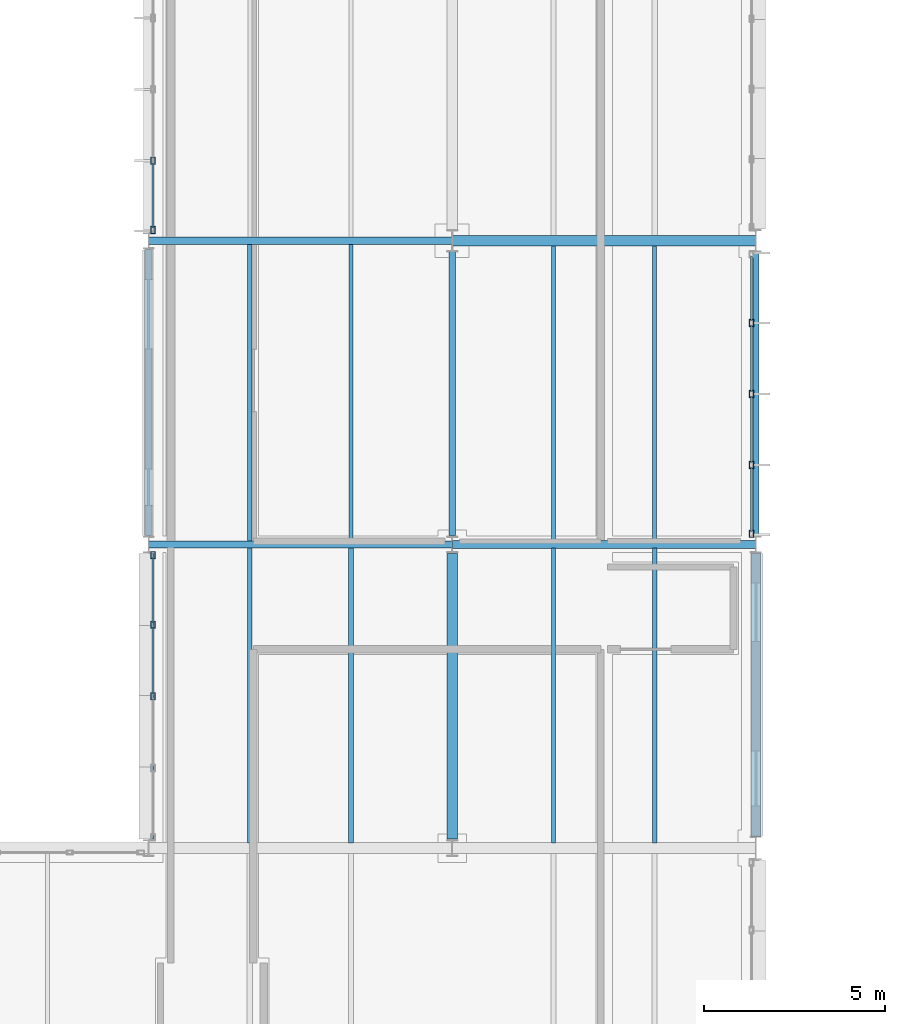
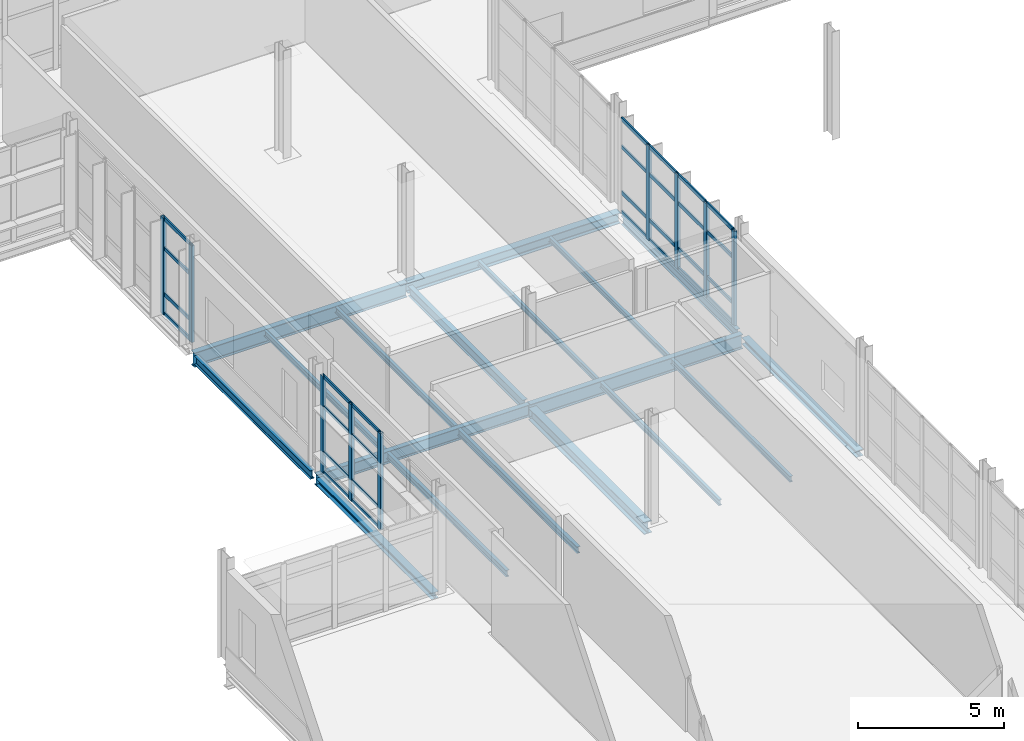
# One storey, part 54 of 129: 37 members, 18 beams, 3 elements without a shape of their own.
"""IFC4 building model written with IfcOpenShell, lengths in metres."""

from ifc_helpers import new_model, si_unit, direction, frame, origin, origin_2d, place, context, subcontext, project, spatial, hollow_rectangle, i_section, extrude, material, material_profile, profile_set, type_object, element, aggregate, save


model = new_model("IFC4")

# Units and contexts
model_context = context("Model", 3, precision=1e-05, world=origin(), true_north=direction((0.0, 1.0)))
body_context = subcontext(model_context, "Body", "Model", "MODEL_VIEW")
ifc_project = project(units=[si_unit("LENGTHUNIT", "METRE"), si_unit("AREAUNIT", "SQUARE_METRE"), si_unit("VOLUMEUNIT", "CUBIC_METRE"), si_unit("PLANEANGLEUNIT", "RADIAN"), si_unit("MASSUNIT", "GRAM", prefix="KILO")], contexts=[model_context])

# Site, building, storey
site_placement = place(None, origin())
site = spatial("IfcSite", under=ifc_project, at=site_placement, CompositionType="ELEMENT")
building_placement = place(site_placement, origin())
building = spatial("IfcBuilding", under=site, at=building_placement, Name="Mersafa Astral City Hall", CompositionType="ELEMENT")
storey_placement = place(building_placement, frame((0.0, 0.0, 5.39990234375)))
storey = spatial("IfcBuildingStorey", under=building, at=storey_placement, Name="L01", CompositionType="ELEMENT", Elevation=5.39990234375)

# Curtain wall, members
ifc_material_1 = material(Name="Anodised bronze aluminium framing", Category="aluminium")
curtain_wall_type_1 = type_object("IfcCurtainWallType", Name="ENV-CW-5", PredefinedType="USERDEFINED", material=ifc_material_1)
curtain_wall_1_placement = place(storey_placement, origin())
curtain_wall_1 = element("IfcCurtainWall", 1, at=curtain_wall_1_placement, inside=storey, type_object=curtain_wall_type_1, Name="L01 Unitised solar curtain wall 58", ObjectType="UNITISED CURTAIN WALL", PredefinedType="USERDEFINED")
ifc_material_profile_1 = material_profile(ifc_material_1, hollow_rectangle(XDim=0.1201171875, YDim=0.199951171875, WallThickness=0.008056640625, at=origin_2d()), Name="RHS 120x200x8")
ifc_profile_set_1 = profile_set([ifc_material_profile_1], Name="Anodised bronze aluminium framing")
member_type_1 = type_object("IfcMemberType", Name="ENV-CW-MUL-2", PredefinedType="MULLION", material=ifc_profile_set_1)
member_1_placement = place(storey_placement, frame((117.47998046875, 101.096923828125, -0.001953125), z_axis=(0.0, 0.0, 1.0), x_axis=(-1.0, 0.0, 0.0)))
member_1 = element("IfcMember", 2, at=member_1_placement, type_object=member_type_1, Name="CW-5 mullion 1", PredefinedType="MULLION", context=body_context, shape_type="SweptSolid", body=[
    extrude(hollow_rectangle(XDim=0.1201171875, YDim=0.199951171875, WallThickness=0.008056640625, at=origin_2d()), origin(), (0.0, 0.0, 1.0), 3.93896484375),
])
member_2_placement = place(storey_placement, frame((117.47998046875, 102.999755859375, -0.001953125), z_axis=(0.0, 0.0, 1.0), x_axis=(-1.0, 0.0, 0.0)))
member_2 = element("IfcMember", 3, at=member_2_placement, type_object=member_type_1, Name="CW-5 mullion 2", PredefinedType="MULLION", context=body_context, shape_type="SweptSolid", body=[
    extrude(hollow_rectangle(XDim=0.1201171875, YDim=0.199951171875, WallThickness=0.008056640625, at=origin_2d()), origin(), (0.0, 0.0, 1.0), 3.93896484375),
])
member_3_placement = place(storey_placement, frame((117.47998046875, 104.96240234375, -0.001953125), z_axis=(0.0, 0.0, 1.0), x_axis=(-1.0, 0.0, 0.0)))
member_3 = element("IfcMember", 4, at=member_3_placement, type_object=member_type_1, Name="CW-5 mullion 3", PredefinedType="MULLION", context=body_context, shape_type="SweptSolid", body=[
    extrude(hollow_rectangle(XDim=0.1201171875, YDim=0.199951171875, WallThickness=0.008056640625, at=origin_2d()), origin(), (0.0, 0.0, 1.0), 3.93896484375),
])
member_4_placement = place(storey_placement, frame((117.47998046875, 106.92529296875, -0.001953125), z_axis=(0.0, 0.0, 1.0), x_axis=(-1.0, 0.0, 0.0)))
member_4 = element("IfcMember", 5, at=member_4_placement, type_object=member_type_1, Name="CW-5 mullion 4", PredefinedType="MULLION", context=body_context, shape_type="SweptSolid", body=[
    extrude(hollow_rectangle(XDim=0.1201171875, YDim=0.199951171875, WallThickness=0.008056640625, at=origin_2d()), origin(), (0.0, 0.0, 1.0), 3.93896484375),
])

curtain_wall_type_2 = type_object("IfcCurtainWallType", Name="ENV-CW-1", PredefinedType="USERDEFINED", material=ifc_material_1)
curtain_wall_2_placement = place(storey_placement, origin())
curtain_wall_2 = element("IfcCurtainWall", 6, at=curtain_wall_2_placement, inside=storey, type_object=curtain_wall_type_2, Name="L01 Unitised solar curtain wall 90", ObjectType="UNITISED CURTAIN WALL", PredefinedType="USERDEFINED")
member_5_placement = place(storey_placement, frame((100.919921875, 111.412353515625, -0.001953125), z_axis=(0.0, 0.0, 1.0), x_axis=(1.0, 0.0, 0.0)))
member_5 = element("IfcMember", 7, at=member_5_placement, type_object=member_type_1, Name="CW-1 mullion 4", PredefinedType="MULLION", context=body_context, shape_type="SweptSolid", body=[
    extrude(hollow_rectangle(XDim=0.1201171875, YDim=0.199951171875, WallThickness=0.008056640625, at=origin_2d()), origin(), (0.0, 0.0, 1.0), 4.029052734375),
])
member_6_placement = place(storey_placement, frame((100.919921875, 109.4970703125, -0.001953125), z_axis=(0.0, 0.0, 1.0), x_axis=(1.0, 0.0, 0.0)))
member_6 = element("IfcMember", 8, at=member_6_placement, type_object=member_type_1, Name="CW-1 mullion 5", PredefinedType="MULLION", context=body_context, shape_type="SweptSolid", body=[
    extrude(hollow_rectangle(XDim=0.1201171875, YDim=0.199951171875, WallThickness=0.008056640625, at=origin_2d()), origin(), (0.0, 0.0, 1.0), 4.029052734375),
])

curtain_wall_type_3 = type_object("IfcCurtainWallType", Name="ENV-CW-2", PredefinedType="USERDEFINED", material=ifc_material_1)
curtain_wall_3_placement = place(storey_placement, origin())
curtain_wall_3 = element("IfcCurtainWall", 9, at=curtain_wall_3_placement, inside=storey, type_object=curtain_wall_type_3, Name="L01 Unitised solar curtain wall 91", ObjectType="UNITISED CURTAIN WALL", PredefinedType="USERDEFINED")
member_7_placement = place(storey_placement, frame((100.919921875, 100.5029296875, -0.001953125), z_axis=(0.0, 0.0, 1.0), x_axis=(1.0, 0.0, 0.0)))
member_7 = element("IfcMember", 10, at=member_7_placement, type_object=member_type_1, Name="CW-2 mullion 1", PredefinedType="MULLION", context=body_context, shape_type="SweptSolid", body=[
    extrude(hollow_rectangle(XDim=0.1201171875, YDim=0.199951171875, WallThickness=0.008056640625, at=origin_2d()), origin(), (0.0, 0.0, 1.0), 4.029052734375),
])
member_8_placement = place(storey_placement, frame((100.919921875, 98.58154296875, -0.001953125), z_axis=(0.0, 0.0, 1.0), x_axis=(1.0, 0.0, 0.0)))
member_8 = element("IfcMember", 11, at=member_8_placement, type_object=member_type_1, Name="CW-2 mullion 2", PredefinedType="MULLION", context=body_context, shape_type="SweptSolid", body=[
    extrude(hollow_rectangle(XDim=0.1201171875, YDim=0.199951171875, WallThickness=0.008056640625, at=origin_2d()), origin(), (0.0, 0.0, 1.0), 4.029052734375),
])
member_9_placement = place(storey_placement, frame((100.919921875, 96.60009765625, -0.001953125), z_axis=(0.0, 0.0, 1.0), x_axis=(1.0, 0.0, 0.0)))
member_9 = element("IfcMember", 12, at=member_9_placement, type_object=member_type_1, Name="CW-2 mullion 3", PredefinedType="MULLION", context=body_context, shape_type="SweptSolid", body=[
    extrude(hollow_rectangle(XDim=0.1201171875, YDim=0.199951171875, WallThickness=0.008056640625, at=origin_2d()), origin(), (0.0, 0.0, 1.0), 4.029052734375),
])
ifc_material_profile_2 = material_profile(ifc_material_1, hollow_rectangle(XDim=0.06005859375, YDim=0.139892578125, WallThickness=0.00390625, at=origin_2d()), Name="RHS 60x140x4")
ifc_profile_set_2 = profile_set([ifc_material_profile_2], Name="Anodised bronze aluminium framing")
member_type_2 = type_object("IfcMemberType", Name="ENV-CW-TRN-1", PredefinedType="USERDEFINED", material=ifc_profile_set_2)
member_10_placement = place(storey_placement, frame((100.919921875, 100.443115234375, 0.028076171875), z_axis=(0.0, -1.0, 0.0), x_axis=(1.0, 0.0, 0.0)))
member_10 = element("IfcMember", 13, at=member_10_placement, type_object=member_type_2, Name="CW-2 transom 1.1", ObjectType="TRANSOM", PredefinedType="USERDEFINED", context=body_context, shape_type="SweptSolid", body=[
    extrude(hollow_rectangle(XDim=0.06005859375, YDim=0.139892578125, WallThickness=0.00390625, at=origin_2d()), origin(), (0.0, 0.0, 1.0), 1.801513671875),
])
member_11_placement = place(storey_placement, frame((100.919921875, 100.443115234375, 0.85009765625), z_axis=(0.0, -1.0, 0.0), x_axis=(1.0, 0.0, 0.0)))
member_11 = element("IfcMember", 14, at=member_11_placement, type_object=member_type_2, Name="CW-2 transom 1.2", ObjectType="TRANSOM", PredefinedType="USERDEFINED", context=body_context, shape_type="SweptSolid", body=[
    extrude(hollow_rectangle(XDim=0.06005859375, YDim=0.139892578125, WallThickness=0.00390625, at=origin_2d()), origin(), (0.0, 0.0, 1.0), 1.801513671875),
])
member_12_placement = place(storey_placement, frame((100.919921875, 100.443115234375, 2.75), z_axis=(0.0, -1.0, 0.0), x_axis=(1.0, 0.0, 0.0)))
member_12 = element("IfcMember", 15, at=member_12_placement, type_object=member_type_2, Name="CW-2 transom 1.3", ObjectType="TRANSOM", PredefinedType="USERDEFINED", context=body_context, shape_type="SweptSolid", body=[
    extrude(hollow_rectangle(XDim=0.06005859375, YDim=0.139892578125, WallThickness=0.00390625, at=origin_2d()), origin(), (0.0, 0.0, 1.0), 1.801513671875),
])
member_13_placement = place(storey_placement, frame((100.919921875, 100.443115234375, 3.9970703125), z_axis=(0.0, -1.0, 0.0), x_axis=(1.0, 0.0, 0.0)))
member_13 = element("IfcMember", 16, at=member_13_placement, type_object=member_type_2, Name="CW-2 transom 1.4", ObjectType="TRANSOM", PredefinedType="USERDEFINED", context=body_context, shape_type="SweptSolid", body=[
    extrude(hollow_rectangle(XDim=0.06005859375, YDim=0.139892578125, WallThickness=0.00390625, at=origin_2d()), origin(), (0.0, 0.0, 1.0), 1.801513671875),
])
member_14_placement = place(storey_placement, frame((100.919921875, 98.521484375, 0.028076171875), z_axis=(0.0, -1.0, 0.0), x_axis=(1.0, 0.0, 0.0)))
member_14 = element("IfcMember", 17, at=member_14_placement, type_object=member_type_2, Name="CW-2 transom 2.1", ObjectType="TRANSOM", PredefinedType="USERDEFINED", context=body_context, shape_type="SweptSolid", body=[
    extrude(hollow_rectangle(XDim=0.06005859375, YDim=0.139892578125, WallThickness=0.00390625, at=origin_2d()), origin(), (0.0, 0.0, 1.0), 1.861572265625),
])
member_15_placement = place(storey_placement, frame((100.919921875, 98.521484375, 0.85009765625), z_axis=(0.0, -1.0, 0.0), x_axis=(1.0, 0.0, 0.0)))
member_15 = element("IfcMember", 18, at=member_15_placement, type_object=member_type_2, Name="CW-2 transom 2.2", ObjectType="TRANSOM", PredefinedType="USERDEFINED", context=body_context, shape_type="SweptSolid", body=[
    extrude(hollow_rectangle(XDim=0.06005859375, YDim=0.139892578125, WallThickness=0.00390625, at=origin_2d()), origin(), (0.0, 0.0, 1.0), 1.861572265625),
])
member_16_placement = place(storey_placement, frame((100.919921875, 98.521484375, 2.75), z_axis=(0.0, -1.0, 0.0), x_axis=(1.0, 0.0, 0.0)))
member_16 = element("IfcMember", 19, at=member_16_placement, type_object=member_type_2, Name="CW-2 transom 2.3", ObjectType="TRANSOM", PredefinedType="USERDEFINED", context=body_context, shape_type="SweptSolid", body=[
    extrude(hollow_rectangle(XDim=0.06005859375, YDim=0.139892578125, WallThickness=0.00390625, at=origin_2d()), origin(), (0.0, 0.0, 1.0), 1.861572265625),
])
member_17_placement = place(storey_placement, frame((100.919921875, 98.521484375, 3.9970703125), z_axis=(0.0, -1.0, 0.0), x_axis=(1.0, 0.0, 0.0)))
member_17 = element("IfcMember", 20, at=member_17_placement, type_object=member_type_2, Name="CW-2 transom 2.4", ObjectType="TRANSOM", PredefinedType="USERDEFINED", context=body_context, shape_type="SweptSolid", body=[
    extrude(hollow_rectangle(XDim=0.06005859375, YDim=0.139892578125, WallThickness=0.00390625, at=origin_2d()), origin(), (0.0, 0.0, 1.0), 1.861572265625),
])
aggregate(curtain_wall_3, [member_7, member_8, member_9, member_10, member_11, member_12, member_13, member_14, member_15, member_16, member_17])

# Member
ifc_material_profile_3 = material_profile(ifc_material_1, hollow_rectangle(XDim=0.06005859375, YDim=0.159912109375, WallThickness=0.00390625, at=origin_2d()), Name="RHS 60x160x4")
ifc_profile_set_3 = profile_set([ifc_material_profile_3], Name="Anodised bronze aluminium framing")
member_type_3 = type_object("IfcMemberType", Name="ENV-CW-TRN-2", PredefinedType="USERDEFINED", material=ifc_profile_set_3)
member_18_placement = place(storey_placement, frame((117.47998046875, 101.156982421875, 0.028076171875), z_axis=(0.0, 1.0, 0.0), x_axis=(-1.0, 0.0, 0.0)))
member_18 = element("IfcMember", 21, at=member_18_placement, type_object=member_type_3, Name="CW-5 transom 1.1", ObjectType="TRANSOM", PredefinedType="USERDEFINED", context=body_context, shape_type="SweptSolid", body=[
    extrude(hollow_rectangle(XDim=0.06005859375, YDim=0.159912109375, WallThickness=0.00390625, at=origin_2d()), origin(), (0.0, 0.0, 1.0), 1.78271484375),
])

member_19_placement = place(storey_placement, frame((117.47998046875, 101.156982421875, 0.85009765625), z_axis=(0.0, 1.0, 0.0), x_axis=(-1.0, 0.0, 0.0)))
member_19 = element("IfcMember", 22, at=member_19_placement, type_object=member_type_3, Name="CW-5 transom 1.2", ObjectType="TRANSOM", PredefinedType="USERDEFINED", context=body_context, shape_type="SweptSolid", body=[
    extrude(hollow_rectangle(XDim=0.06005859375, YDim=0.159912109375, WallThickness=0.00390625, at=origin_2d()), origin(), (0.0, 0.0, 1.0), 1.78271484375),
])

member_20_placement = place(storey_placement, frame((117.47998046875, 101.156982421875, 2.75), z_axis=(0.0, 1.0, 0.0), x_axis=(-1.0, 0.0, 0.0)))
member_20 = element("IfcMember", 23, at=member_20_placement, type_object=member_type_3, Name="CW-5 transom 1.3", ObjectType="TRANSOM", PredefinedType="USERDEFINED", context=body_context, shape_type="SweptSolid", body=[
    extrude(hollow_rectangle(XDim=0.06005859375, YDim=0.159912109375, WallThickness=0.00390625, at=origin_2d()), origin(), (0.0, 0.0, 1.0), 1.78271484375),
])

member_21_placement = place(storey_placement, frame((117.47998046875, 101.156982421875, 3.906982421875), z_axis=(0.0, 1.0, 0.0), x_axis=(-1.0, 0.0, 0.0)))
member_21 = element("IfcMember", 24, at=member_21_placement, type_object=member_type_3, Name="CW-5 transom 1.4", ObjectType="TRANSOM", PredefinedType="USERDEFINED", context=body_context, shape_type="SweptSolid", body=[
    extrude(hollow_rectangle(XDim=0.06005859375, YDim=0.159912109375, WallThickness=0.00390625, at=origin_2d()), origin(), (0.0, 0.0, 1.0), 1.78271484375),
])

member_22_placement = place(storey_placement, frame((117.47998046875, 103.059814453125, 0.028076171875), z_axis=(0.0, 1.0, 0.0), x_axis=(-1.0, 0.0, 0.0)))
member_22 = element("IfcMember", 25, at=member_22_placement, type_object=member_type_3, Name="CW-5 transom 2.1", ObjectType="TRANSOM", PredefinedType="USERDEFINED", context=body_context, shape_type="SweptSolid", body=[
    extrude(hollow_rectangle(XDim=0.06005859375, YDim=0.159912109375, WallThickness=0.00390625, at=origin_2d()), origin(), (0.0, 0.0, 1.0), 1.8427734375),
])

member_23_placement = place(storey_placement, frame((117.47998046875, 103.059814453125, 0.85009765625), z_axis=(0.0, 1.0, 0.0), x_axis=(-1.0, 0.0, 0.0)))
member_23 = element("IfcMember", 26, at=member_23_placement, type_object=member_type_3, Name="CW-5 transom 2.2", ObjectType="TRANSOM", PredefinedType="USERDEFINED", context=body_context, shape_type="SweptSolid", body=[
    extrude(hollow_rectangle(XDim=0.06005859375, YDim=0.159912109375, WallThickness=0.00390625, at=origin_2d()), origin(), (0.0, 0.0, 1.0), 1.8427734375),
])

member_24_placement = place(storey_placement, frame((117.47998046875, 103.059814453125, 2.75), z_axis=(0.0, 1.0, 0.0), x_axis=(-1.0, 0.0, 0.0)))
member_24 = element("IfcMember", 27, at=member_24_placement, type_object=member_type_3, Name="CW-5 transom 2.3", ObjectType="TRANSOM", PredefinedType="USERDEFINED", context=body_context, shape_type="SweptSolid", body=[
    extrude(hollow_rectangle(XDim=0.06005859375, YDim=0.159912109375, WallThickness=0.00390625, at=origin_2d()), origin(), (0.0, 0.0, 1.0), 1.8427734375),
])

member_25_placement = place(storey_placement, frame((117.47998046875, 103.059814453125, 3.906982421875), z_axis=(0.0, 1.0, 0.0), x_axis=(-1.0, 0.0, 0.0)))
member_25 = element("IfcMember", 28, at=member_25_placement, type_object=member_type_3, Name="CW-5 transom 2.4", ObjectType="TRANSOM", PredefinedType="USERDEFINED", context=body_context, shape_type="SweptSolid", body=[
    extrude(hollow_rectangle(XDim=0.06005859375, YDim=0.159912109375, WallThickness=0.00390625, at=origin_2d()), origin(), (0.0, 0.0, 1.0), 1.8427734375),
])

member_26_placement = place(storey_placement, frame((117.47998046875, 105.0224609375, 0.028076171875), z_axis=(0.0, 1.0, 0.0), x_axis=(-1.0, 0.0, 0.0)))
member_26 = element("IfcMember", 29, at=member_26_placement, type_object=member_type_3, Name="CW-5 transom 3.1", ObjectType="TRANSOM", PredefinedType="USERDEFINED", context=body_context, shape_type="SweptSolid", body=[
    extrude(hollow_rectangle(XDim=0.06005859375, YDim=0.159912109375, WallThickness=0.00390625, at=origin_2d()), origin(), (0.0, 0.0, 1.0), 1.8427734375),
])

member_27_placement = place(storey_placement, frame((117.47998046875, 105.0224609375, 0.85009765625), z_axis=(0.0, 1.0, 0.0), x_axis=(-1.0, 0.0, 0.0)))
member_27 = element("IfcMember", 30, at=member_27_placement, type_object=member_type_3, Name="CW-5 transom 3.2", ObjectType="TRANSOM", PredefinedType="USERDEFINED", context=body_context, shape_type="SweptSolid", body=[
    extrude(hollow_rectangle(XDim=0.06005859375, YDim=0.159912109375, WallThickness=0.00390625, at=origin_2d()), origin(), (0.0, 0.0, 1.0), 1.8427734375),
])

member_28_placement = place(storey_placement, frame((117.47998046875, 105.0224609375, 2.75), z_axis=(0.0, 1.0, 0.0), x_axis=(-1.0, 0.0, 0.0)))
member_28 = element("IfcMember", 31, at=member_28_placement, type_object=member_type_3, Name="CW-5 transom 3.3", ObjectType="TRANSOM", PredefinedType="USERDEFINED", context=body_context, shape_type="SweptSolid", body=[
    extrude(hollow_rectangle(XDim=0.06005859375, YDim=0.159912109375, WallThickness=0.00390625, at=origin_2d()), origin(), (0.0, 0.0, 1.0), 1.8427734375),
])

member_29_placement = place(storey_placement, frame((117.47998046875, 105.0224609375, 3.906982421875), z_axis=(0.0, 1.0, 0.0), x_axis=(-1.0, 0.0, 0.0)))
member_29 = element("IfcMember", 32, at=member_29_placement, type_object=member_type_3, Name="CW-5 transom 3.4", ObjectType="TRANSOM", PredefinedType="USERDEFINED", context=body_context, shape_type="SweptSolid", body=[
    extrude(hollow_rectangle(XDim=0.06005859375, YDim=0.159912109375, WallThickness=0.00390625, at=origin_2d()), origin(), (0.0, 0.0, 1.0), 1.8427734375),
])

member_30_placement = place(storey_placement, frame((117.47998046875, 106.9853515625, 0.028076171875), z_axis=(0.0, 1.0, 0.0), x_axis=(-1.0, 0.0, 0.0)))
member_30 = element("IfcMember", 33, at=member_30_placement, type_object=member_type_3, Name="CW-5 transom 4.1", ObjectType="TRANSOM", PredefinedType="USERDEFINED", context=body_context, shape_type="SweptSolid", body=[
    extrude(hollow_rectangle(XDim=0.06005859375, YDim=0.159912109375, WallThickness=0.00390625, at=origin_2d()), origin(), (0.0, 0.0, 1.0), 1.78271484375),
])

member_31_placement = place(storey_placement, frame((117.47998046875, 106.9853515625, 0.85009765625), z_axis=(0.0, 1.0, 0.0), x_axis=(-1.0, 0.0, 0.0)))
member_31 = element("IfcMember", 34, at=member_31_placement, type_object=member_type_3, Name="CW-5 transom 4.2", ObjectType="TRANSOM", PredefinedType="USERDEFINED", context=body_context, shape_type="SweptSolid", body=[
    extrude(hollow_rectangle(XDim=0.06005859375, YDim=0.159912109375, WallThickness=0.00390625, at=origin_2d()), origin(), (0.0, 0.0, 1.0), 1.78271484375),
])

member_32_placement = place(storey_placement, frame((117.47998046875, 106.9853515625, 2.75), z_axis=(0.0, 1.0, 0.0), x_axis=(-1.0, 0.0, 0.0)))
member_32 = element("IfcMember", 35, at=member_32_placement, type_object=member_type_3, Name="CW-5 transom 4.3", ObjectType="TRANSOM", PredefinedType="USERDEFINED", context=body_context, shape_type="SweptSolid", body=[
    extrude(hollow_rectangle(XDim=0.06005859375, YDim=0.159912109375, WallThickness=0.00390625, at=origin_2d()), origin(), (0.0, 0.0, 1.0), 1.78271484375),
])

member_33_placement = place(storey_placement, frame((117.47998046875, 106.9853515625, 3.906982421875), z_axis=(0.0, 1.0, 0.0), x_axis=(-1.0, 0.0, 0.0)))
member_33 = element("IfcMember", 36, at=member_33_placement, type_object=member_type_3, Name="CW-5 transom 4.4", ObjectType="TRANSOM", PredefinedType="USERDEFINED", context=body_context, shape_type="SweptSolid", body=[
    extrude(hollow_rectangle(XDim=0.06005859375, YDim=0.159912109375, WallThickness=0.00390625, at=origin_2d()), origin(), (0.0, 0.0, 1.0), 1.78271484375),
])

aggregate(curtain_wall_1, [member_1, member_2, member_3, member_4, member_18, member_19, member_20, member_21, member_22, member_23, member_24, member_25, member_26, member_27, member_28, member_29, member_30, member_31, member_32, member_33])

member_34_placement = place(storey_placement, frame((100.919921875, 111.352294921875, 0.028076171875), z_axis=(0.0, -1.0, 0.0), x_axis=(1.0, 0.0, 0.0)))
member_34 = element("IfcMember", 37, at=member_34_placement, type_object=member_type_3, Name="CW-1 transom 4.1", ObjectType="TRANSOM", PredefinedType="USERDEFINED", context=body_context, shape_type="SweptSolid", body=[
    extrude(hollow_rectangle(XDim=0.06005859375, YDim=0.159912109375, WallThickness=0.00390625, at=origin_2d()), origin(), (0.0, 0.0, 1.0), 1.79541015625),
])

member_35_placement = place(storey_placement, frame((100.919921875, 111.352294921875, 0.85009765625), z_axis=(0.0, -1.0, 0.0), x_axis=(1.0, 0.0, 0.0)))
member_35 = element("IfcMember", 38, at=member_35_placement, type_object=member_type_3, Name="CW-1 transom 4.2", ObjectType="TRANSOM", PredefinedType="USERDEFINED", context=body_context, shape_type="SweptSolid", body=[
    extrude(hollow_rectangle(XDim=0.06005859375, YDim=0.159912109375, WallThickness=0.00390625, at=origin_2d()), origin(), (0.0, 0.0, 1.0), 1.79541015625),
])

member_36_placement = place(storey_placement, frame((100.919921875, 111.352294921875, 2.75), z_axis=(0.0, -1.0, 0.0), x_axis=(1.0, 0.0, 0.0)))
member_36 = element("IfcMember", 39, at=member_36_placement, type_object=member_type_3, Name="CW-1 transom 4.3", ObjectType="TRANSOM", PredefinedType="USERDEFINED", context=body_context, shape_type="SweptSolid", body=[
    extrude(hollow_rectangle(XDim=0.06005859375, YDim=0.159912109375, WallThickness=0.00390625, at=origin_2d()), origin(), (0.0, 0.0, 1.0), 1.79541015625),
])

member_37_placement = place(storey_placement, frame((100.919921875, 111.352294921875, 3.9970703125), z_axis=(0.0, -1.0, 0.0), x_axis=(1.0, 0.0, 0.0)))
member_37 = element("IfcMember", 40, at=member_37_placement, type_object=member_type_3, Name="CW-1 transom 4.4", ObjectType="TRANSOM", PredefinedType="USERDEFINED", context=body_context, shape_type="SweptSolid", body=[
    extrude(hollow_rectangle(XDim=0.06005859375, YDim=0.159912109375, WallThickness=0.00390625, at=origin_2d()), origin(), (0.0, 0.0, 1.0), 1.79541015625),
])

aggregate(curtain_wall_2, [member_5, member_6, member_34, member_35, member_36, member_37])

# Beams
ifc_material_2 = material(Name="Steel S355", Category="steel")
ifc_material_profile_4 = material_profile(ifc_material_2, i_section(OverallWidth=0.300048828125, OverallDepth=0.43994140625, WebThickness=0.011474609375, FlangeThickness=0.02099609375, FilletRadius=0.027099609375, at=origin_2d()), Name="HEA 450")
ifc_profile_set_4 = profile_set([ifc_material_profile_4], Name="Steel S355")
beam_type_1 = type_object("IfcBeamType", Name="STR-BM-HEA450", PredefinedType="BEAM", material=ifc_profile_set_4)
beam_1_placement = place(storey_placement, frame((109.202880859375, 109.199951171875, -0.44482421875), z_axis=(1.0, 0.0, 0.0), x_axis=(0.0, 1.0, 0.0)))
element("IfcBeam", 41, at=beam_1_placement, inside=storey, type_object=beam_type_1, Name="L01 Primary girder X 13-13", PredefinedType="BEAM", context=body_context, shape_type="SweptSolid", body=[
    extrude(i_section(OverallWidth=0.300048828125, OverallDepth=0.43994140625, WebThickness=0.011474609375, FlangeThickness=0.02099609375, FilletRadius=0.027099609375, at=origin_2d()), origin(), (0.0, 0.0, 1.0), 8.39404296875),
])
ifc_material_profile_5 = material_profile(ifc_material_2, i_section(OverallWidth=0.300048828125, OverallDepth=0.489990234375, WebThickness=0.011962890625, FlangeThickness=0.02294921875, FilletRadius=0.027099609375, at=origin_2d()), Name="HEA 500")
ifc_profile_set_5 = profile_set([ifc_material_profile_5], Name="Steel S355")
beam_type_2 = type_object("IfcBeamType", Name="STR-BM-HEA500", PredefinedType="BEAM", material=ifc_profile_set_5)
beam_2_placement = place(storey_placement, frame((109.199951171875, 92.64501953125, -0.469970703125), z_axis=(0.0, 1.0, 0.0), x_axis=(-1.0, 0.0, 0.0)))
element("IfcBeam", 42, at=beam_2_placement, inside=storey, type_object=beam_type_2, Name="L01 Primary girder Y 13-11", PredefinedType="BEAM", context=body_context, shape_type="SweptSolid", body=[
    extrude(i_section(OverallWidth=0.300048828125, OverallDepth=0.489990234375, WebThickness=0.011962890625, FlangeThickness=0.02294921875, FilletRadius=0.027099609375, at=origin_2d()), origin(), (0.0, 0.0, 1.0), 7.909912109375),
])
ifc_material_profile_6 = material_profile(ifc_material_2, i_section(OverallWidth=0.179931640625, OverallDepth=0.39990234375, WebThickness=0.008544921875, FlangeThickness=0.013427734375, FilletRadius=0.02099609375, at=origin_2d()), Name="IPE 400")
ifc_profile_set_6 = profile_set([ifc_material_profile_6], Name="Steel S355")
beam_type_3 = type_object("IfcBeamType", Name="STR-BM-IPE400", PredefinedType="BEAM", material=ifc_profile_set_6)
beam_3_placement = place(storey_placement, frame((109.199951171875, 101.044921875, -0.4248046875), z_axis=(0.0, 1.0, 0.0), x_axis=(-1.0, 0.0, 0.0)))
element("IfcBeam", 43, at=beam_3_placement, inside=storey, type_object=beam_type_3, Name="L01 Primary girder Y 13-12", PredefinedType="BEAM", context=body_context, shape_type="SweptSolid", body=[
    extrude(i_section(OverallWidth=0.179931640625, OverallDepth=0.39990234375, WebThickness=0.008544921875, FlangeThickness=0.013427734375, FilletRadius=0.02099609375, at=origin_2d()), origin(), (0.0, 0.0, 1.0), 7.860107421875),
])
ifc_material_profile_7 = material_profile(ifc_material_2, i_section(OverallWidth=0.199951171875, OverallDepth=0.5, WebThickness=0.01025390625, FlangeThickness=0.01611328125, FilletRadius=0.02099609375, at=origin_2d()), Name="IPE 500")
ifc_profile_set_7 = profile_set([ifc_material_profile_7], Name="Steel S355")
beam_type_4 = type_object("IfcBeamType", Name="STR-BM-IPE500", PredefinedType="BEAM", material=ifc_profile_set_7)
beam_4_placement = place(storey_placement, frame((100.802978515625, 100.800048828125, -0.474853515625), z_axis=(1.0, 0.0, 0.0), x_axis=(0.0, 1.0, 0.0)))
element("IfcBeam", 44, at=beam_4_placement, inside=storey, type_object=beam_type_4, Name="L01 Primary girder X 12-12", PredefinedType="BEAM", context=body_context, shape_type="SweptSolid", body=[
    extrude(i_section(OverallWidth=0.199951171875, OverallDepth=0.5, WebThickness=0.01025390625, FlangeThickness=0.01611328125, FilletRadius=0.02099609375, at=origin_2d()), origin(), (0.0, 0.0, 1.0), 8.39404296875),
])
ifc_material_profile_8 = material_profile(ifc_material_2, i_section(OverallWidth=0.219970703125, OverallDepth=0.60009765625, WebThickness=0.011962890625, FlangeThickness=0.01904296875, FilletRadius=0.02392578125, at=origin_2d()), Name="IPE 600")
ifc_profile_set_8 = profile_set([ifc_material_profile_8], Name="Steel S355")
beam_type_5 = type_object("IfcBeamType", Name="STR-BM-IPE600", PredefinedType="BEAM", material=ifc_profile_set_8)
for number, where, z_axis, x_axis, name in (
    (45, (109.202880859375, 100.800048828125, -0.52490234375), (1.0, 0.0, 0.0), (0.0, 1.0, 0.0), "L01 Primary girder X 13-12"),
    (46, (100.802978515625, 109.199951171875, -0.52490234375), (1.0, 0.0, 0.0), (0.0, 1.0, 0.0), "L01 Primary girder X 12-13"),
):
    element("IfcBeam", number, at=place(storey_placement, frame(where, z_axis=z_axis, x_axis=x_axis)), inside=storey, type_object=beam_type_5, Name=name, PredefinedType="BEAM", context=body_context, shape_type="SweptSolid", body=[
        extrude(i_section(OverallWidth=0.219970703125, OverallDepth=0.60009765625, WebThickness=0.011962890625, FlangeThickness=0.01904296875, FilletRadius=0.02392578125, at=origin_2d()), origin(), (0.0, 0.0, 1.0), 8.39404296875),
    ])
ifc_material_profile_9 = material_profile(ifc_material_2, i_section(OverallWidth=0.110107421875, OverallDepth=0.219970703125, WebThickness=0.005859375, FlangeThickness=0.00927734375, FilletRadius=0.011962890625, at=origin_2d()), Name="IPE 220")
ifc_profile_set_9 = profile_set([ifc_material_profile_9], Name="Steel S355")
beam_type_6 = type_object("IfcBeamType", Name="STR-BM-JOIST-IPE220", PredefinedType="JOIST", material=ifc_profile_set_9)
for number, where, z_axis, x_axis, name in (
    (47, (112.0, 100.905029296875, -0.3349609375), (0.0, 1.0, 0.0), (-1.0, 0.0, 0.0), "L01 Composite secondary floor joist 326"),
    (48, (114.800048828125, 100.905029296875, -0.3349609375), (0.0, 1.0, 0.0), (-1.0, 0.0, 0.0), "L01 Composite secondary floor joist 327"),
):
    element("IfcBeam", number, at=place(storey_placement, frame(where, z_axis=z_axis, x_axis=x_axis)), inside=storey, type_object=beam_type_6, Name=name, PredefinedType="JOIST", context=body_context, shape_type="SweptSolid", body=[
        extrude(i_section(OverallWidth=0.110107421875, OverallDepth=0.219970703125, WebThickness=0.005859375, FlangeThickness=0.00927734375, FilletRadius=0.011962890625, at=origin_2d()), origin(), (0.0, 0.0, 1.0), 8.14990234375),
    ])
ifc_material_profile_10 = material_profile(ifc_material_2, i_section(OverallWidth=0.1201171875, OverallDepth=0.239990234375, WebThickness=0.006103515625, FlangeThickness=0.009765625, FilletRadius=0.014892578125, at=origin_2d()), Name="IPE 240")
ifc_profile_set_10 = profile_set([ifc_material_profile_10], Name="Steel S355")
beam_type_7 = type_object("IfcBeamType", Name="STR-BM-JOIST-IPE240", PredefinedType="JOIST", material=ifc_profile_set_10)
for number, where, z_axis, x_axis, name in (
    (49, (103.60009765625, 100.89501953125, -0.344970703125), (0.0, 1.0, 0.0), (-1.0, 0.0, 0.0), "L01 Composite secondary floor joist 300"),
    (50, (106.39990234375, 100.89501953125, -0.344970703125), (0.0, 1.0, 0.0), (-1.0, 0.0, 0.0), "L01 Composite secondary floor joist 301"),
):
    element("IfcBeam", number, at=place(storey_placement, frame(where, z_axis=z_axis, x_axis=x_axis)), inside=storey, type_object=beam_type_7, Name=name, PredefinedType="JOIST", context=body_context, shape_type="SweptSolid", body=[
        extrude(i_section(OverallWidth=0.1201171875, OverallDepth=0.239990234375, WebThickness=0.006103515625, FlangeThickness=0.009765625, FilletRadius=0.014892578125, at=origin_2d()), origin(), (0.0, 0.0, 1.0), 8.199951171875),
    ])
for number, where, z_axis, x_axis, name in (
    (51, (112.0, 92.544921875, -0.344970703125), (0.0, 1.0, 0.0), (-1.0, 0.0, 0.0), "L01 Composite secondary floor joist 324"),
    (52, (114.800048828125, 92.544921875, -0.344970703125), (0.0, 1.0, 0.0), (-1.0, 0.0, 0.0), "L01 Composite secondary floor joist 325"),
):
    element("IfcBeam", number, at=place(storey_placement, frame(where, z_axis=z_axis, x_axis=x_axis)), inside=storey, type_object=beam_type_7, Name=name, PredefinedType="JOIST", context=body_context, shape_type="SweptSolid", body=[
        extrude(i_section(OverallWidth=0.1201171875, OverallDepth=0.239990234375, WebThickness=0.006103515625, FlangeThickness=0.009765625, FilletRadius=0.014892578125, at=origin_2d()), origin(), (0.0, 0.0, 1.0), 8.150146484375),
    ])
ifc_material_profile_11 = material_profile(ifc_material_2, i_section(OverallWidth=0.135009765625, OverallDepth=0.27001953125, WebThickness=0.006591796875, FlangeThickness=0.01025390625, FilletRadius=0.014892578125, at=origin_2d()), Name="IPE 270")
ifc_profile_set_11 = profile_set([ifc_material_profile_11], Name="Steel S355")
beam_type_8 = type_object("IfcBeamType", Name="STR-BM-JOIST-IPE270", PredefinedType="JOIST", material=ifc_profile_set_11)
for number, where, z_axis, x_axis, name in (
    (53, (103.60009765625, 92.544921875, -0.35986328125), (0.0, 1.0, 0.0), (-1.0, 0.0, 0.0), "L01 Composite secondary floor joist 298"),
    (54, (106.39990234375, 92.544921875, -0.35986328125), (0.0, 1.0, 0.0), (-1.0, 0.0, 0.0), "L01 Composite secondary floor joist 299"),
):
    element("IfcBeam", number, at=place(storey_placement, frame(where, z_axis=z_axis, x_axis=x_axis)), inside=storey, type_object=beam_type_8, Name=name, PredefinedType="JOIST", context=body_context, shape_type="SweptSolid", body=[
        extrude(i_section(OverallWidth=0.135009765625, OverallDepth=0.27001953125, WebThickness=0.006591796875, FlangeThickness=0.01025390625, FilletRadius=0.014892578125, at=origin_2d()), origin(), (0.0, 0.0, 1.0), 8.16015625),
    ])
ifc_material_profile_12 = material_profile(ifc_material_2, i_section(OverallWidth=0.280029296875, OverallDepth=0.27001953125, WebThickness=0.008056640625, FlangeThickness=0.012939453125, FilletRadius=0.02392578125, at=origin_2d()), Name="HEA 280")
ifc_profile_set_12 = profile_set([ifc_material_profile_12], Name="Steel S355")
beam_type_9 = type_object("IfcBeamType", Name="STR-BM-SPANDREL-HEA280", PredefinedType="SPANDREL", material=ifc_profile_set_12)
beam_5_placement = place(storey_placement, frame((100.800048828125, 92.64501953125, -0.35986328125), z_axis=(0.0, 1.0, 0.0), x_axis=(-1.0, 0.0, 0.0)))
element("IfcBeam", 55, at=beam_5_placement, inside=storey, type_object=beam_type_9, Name="L01 Primary girder Y 12-11", PredefinedType="SPANDREL", context=body_context, shape_type="SweptSolid", body=[
    extrude(i_section(OverallWidth=0.280029296875, OverallDepth=0.27001953125, WebThickness=0.008056640625, FlangeThickness=0.012939453125, FilletRadius=0.02392578125, at=origin_2d()), origin(), (0.0, 0.0, 1.0), 7.909912109375),
])
beam_6_placement = place(storey_placement, frame((117.60009765625, 92.719970703125, -0.35986328125), z_axis=(0.0, 1.0, 0.0), x_axis=(-1.0, 0.0, 0.0)))
element("IfcBeam", 56, at=beam_6_placement, inside=storey, type_object=beam_type_9, Name="L01 Primary girder Y 14-11", PredefinedType="SPANDREL", context=body_context, shape_type="SweptSolid", body=[
    extrude(i_section(OverallWidth=0.280029296875, OverallDepth=0.27001953125, WebThickness=0.008056640625, FlangeThickness=0.012939453125, FilletRadius=0.02392578125, at=origin_2d()), origin(), (0.0, 0.0, 1.0), 7.8349609375),
])
ifc_material_profile_13 = material_profile(ifc_material_2, i_section(OverallWidth=0.169921875, OverallDepth=0.360107421875, WebThickness=0.008056640625, FlangeThickness=0.0126953125, FilletRadius=0.01806640625, at=origin_2d()), Name="IPE 360")
ifc_profile_set_13 = profile_set([ifc_material_profile_13], Name="Steel S355")
beam_type_10 = type_object("IfcBeamType", Name="STR-BM-SPANDREL-IPE360", PredefinedType="SPANDREL", material=ifc_profile_set_13)
beam_7_placement = place(storey_placement, frame((100.800048828125, 101.044921875, -0.40478515625), z_axis=(0.0, 1.0, 0.0), x_axis=(-1.0, 0.0, 0.0)))
element("IfcBeam", 57, at=beam_7_placement, inside=storey, type_object=beam_type_10, Name="L01 Primary girder Y 12-12", PredefinedType="SPANDREL", context=body_context, shape_type="SweptSolid", body=[
    extrude(i_section(OverallWidth=0.169921875, OverallDepth=0.360107421875, WebThickness=0.008056640625, FlangeThickness=0.0126953125, FilletRadius=0.01806640625, at=origin_2d()), origin(), (0.0, 0.0, 1.0), 7.91015625),
])
beam_8_placement = place(storey_placement, frame((117.60009765625, 101.044921875, -0.40478515625), z_axis=(0.0, 1.0, 0.0), x_axis=(-1.0, 0.0, 0.0)))
element("IfcBeam", 58, at=beam_8_placement, inside=storey, type_object=beam_type_10, Name="L01 Primary girder Y 14-12", PredefinedType="SPANDREL", context=body_context, shape_type="SweptSolid", body=[
    extrude(i_section(OverallWidth=0.169921875, OverallDepth=0.360107421875, WebThickness=0.008056640625, FlangeThickness=0.0126953125, FilletRadius=0.01806640625, at=origin_2d()), origin(), (0.0, 0.0, 1.0), 7.860107421875),
])

save(model, "model.ifc")
